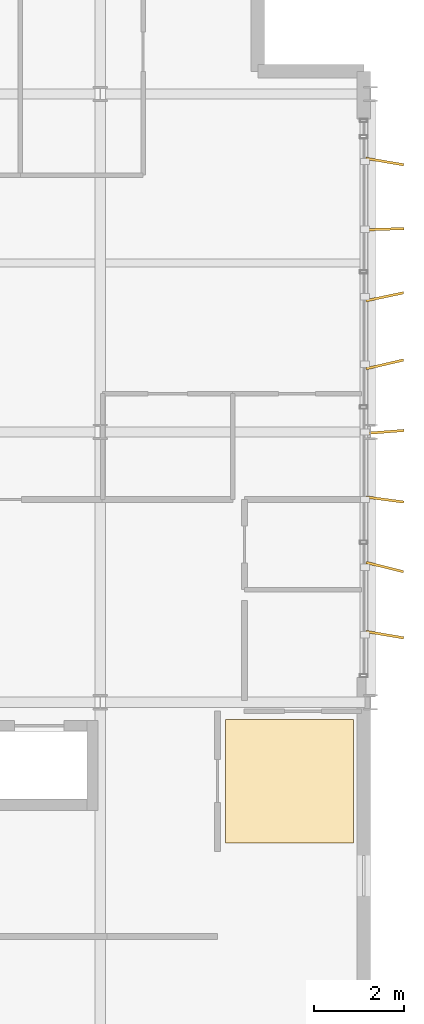
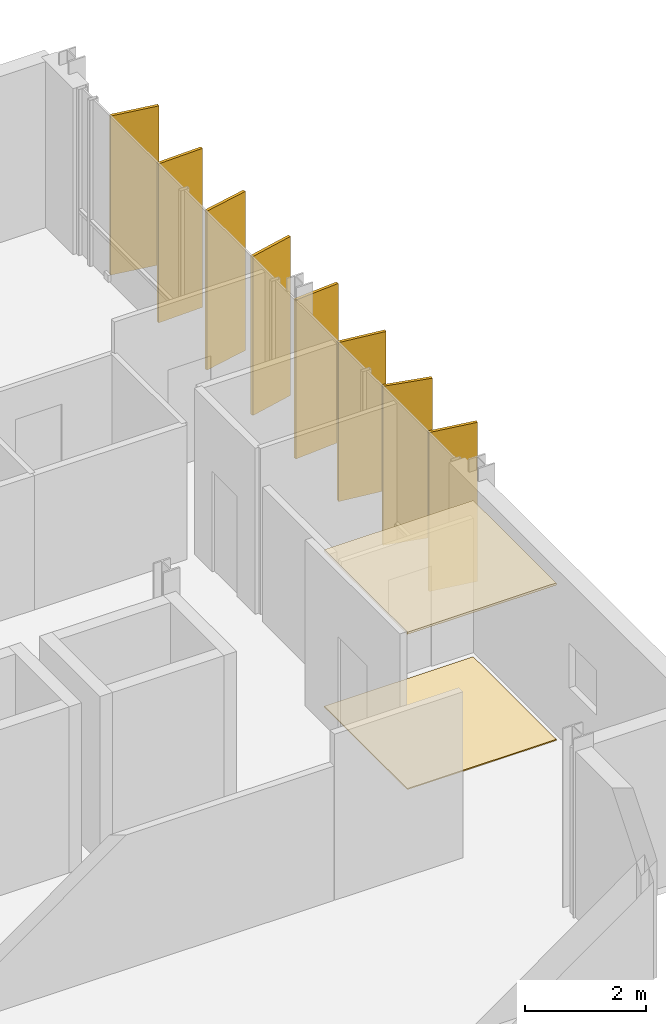
# One storey, part 18 of 18: 8 shading devices, 2 coverings.
"""IFC4 building model written with IfcOpenShell, lengths in metres."""

import ifcopenshell
import ifcopenshell.guid

model = None  # the IFC model being written
_history = None  # IfcOwnerHistory: only IFC2X3 demands one
_inside = {}  # id of a spatial element -> (the spatial element, [elements in it])
_under = {}  # id of a project, library or spatial element -> (it, [spatial elements below it])
_declared = {}  # id of a project -> (the project, [libraries it declares])
_typed = {}  # id of a type object -> (the type object, [elements of that type])
_made_of = {}  # id of a material, layer set ... -> (it, [elements and type objects made of it])


def new_model(schema):
    """Start an empty IFC model of exactly this schema.

    Asked for "IFC4X3", IfcOpenShell would pick the latest addendum, in which some entities
    have other attributes; the version numbers below select the first issue.
    IFC2X3 requires an IfcOwnerHistory on every rooted entity: one is made here for all.
    """
    global model, _history
    if schema == "IFC4X3":
        model = ifcopenshell.file(schema_version=(4, 3, 0, 0))
    else:
        model = ifcopenshell.file(schema=schema)
    _inside.clear()
    _under.clear()
    _declared.clear()
    _typed.clear()
    _made_of.clear()
    _history = None
    if model.schema == "IFC2X3":
        org = make("IfcOrganization", Name="unknown")
        user = make(
            "IfcPersonAndOrganization",
            ThePerson=make("IfcPerson", FamilyName="unknown"),
            TheOrganization=org,
        )
        app = make(
            "IfcApplication",
            ApplicationDeveloper=org,
            Version="unknown",
            ApplicationFullName="unknown",
            ApplicationIdentifier="unknown",
        )
        _history = make(
            "IfcOwnerHistory",
            OwningUser=user,
            OwningApplication=app,
            ChangeAction="ADDED",
            CreationDate=0,
        )
    return model


def make(cls, **values):
    """One entity of the class cls with the attributes given. An attribute that is None is left unset."""
    return model.create_entity(
        cls, **{name: value for name, value in values.items() if value is not None}
    )


def rooted(cls, **values):
    """An entity with a GlobalId (a new one), such as an element, a storey or a relation."""
    return make(cls, GlobalId=ifcopenshell.guid.new(), OwnerHistory=_history, **values)


def si_unit(unit_type, name, prefix=None):
    """IfcSIUnit, for example si_unit("LENGTHUNIT", "METRE", prefix="MILLI")."""
    return make("IfcSIUnit", UnitType=unit_type, Prefix=prefix, Name=name)


def assignment(units):
    """IfcUnitAssignment: the units of a project."""
    return None if units is None else make("IfcUnitAssignment", Units=units)


def point(xyz):
    """IfcCartesianPoint."""
    return None if xyz is None else make("IfcCartesianPoint", Coordinates=xyz)


def direction(xyz):
    """IfcDirection."""
    return None if xyz is None else make("IfcDirection", DirectionRatios=xyz)


def frame(location, z_axis=None, x_axis=None):
    """IfcAxis2Placement3D, a coordinate frame: its origin and axes. An axis left out is left unset."""
    return make(
        "IfcAxis2Placement3D",
        Location=point(location),
        Axis=direction(z_axis),
        RefDirection=direction(x_axis),
    )


def frame_2d(location, x_axis=None):
    """IfcAxis2Placement2D, a coordinate frame in the plane: its origin and x axis."""
    return make(
        "IfcAxis2Placement2D", Location=point(location), RefDirection=direction(x_axis)
    )


def origin():
    """The frame at (0, 0, 0) with its axes left unset."""
    return frame((0.0, 0.0, 0.0))


def origin_2d():
    """The frame at (0, 0) in the plane with its x axis left unset."""
    return frame_2d((0.0, 0.0))


def place(relative_to, where):
    """IfcLocalPlacement: puts the frame where relative to a parent placement (None: the world)."""
    return make(
        "IfcLocalPlacement", PlacementRelTo=relative_to, RelativePlacement=where
    )


def context(
    kind, dimensions, precision=None, world=None, true_north=None, identifier=None
):
    """IfcGeometricRepresentationContext, for example the 3D "Model" context."""
    return make(
        "IfcGeometricRepresentationContext",
        ContextIdentifier=identifier,
        ContextType=kind,
        CoordinateSpaceDimension=dimensions,
        Precision=precision,
        WorldCoordinateSystem=world,
        TrueNorth=true_north,
    )


def subcontext(parent, identifier, kind, view, scale=None):
    """IfcGeometricRepresentationSubContext, for example "Body" below "Model"."""
    return make(
        "IfcGeometricRepresentationSubContext",
        ContextIdentifier=identifier,
        ContextType=kind,
        ParentContext=parent,
        TargetScale=scale,
        TargetView=view,
    )


def project(units=None, contexts=None):
    """IfcProject with its units and contexts."""
    return rooted(
        "IfcProject",
        Name="project",
        RepresentationContexts=contexts,
        UnitsInContext=assignment(units),
    )


def spatial(cls, under=None, at=None, **own):
    """A site, building, storey or space (cls), placed at a placement, below another one or the project."""
    s = rooted(cls, ObjectPlacement=at, **own)
    if under is not None:
        _under.setdefault(under.id(), (under, []))[1].append(s)
    return s


def polyline(points):
    """IfcPolyline through the points."""
    return make("IfcPolyline", Points=[point(p) for p in points])


def profile(cls, at=None, kind="AREA", **sizes):
    """A parametric profile (cls). Its sizes go by their IFC names, for example OverallWidth=200.0."""
    return make(cls, ProfileType=kind, Position=at, **sizes)


def rectangle(**sizes):
    """IfcRectangleProfileDef."""
    return profile("IfcRectangleProfileDef", **sizes)


def outline(outer, holes=None, kind="AREA"):
    """IfcArbitraryClosedProfileDef: a profile drawn as a closed curve; with holes, ...WithVoids."""
    if holes is None:
        return make("IfcArbitraryClosedProfileDef", ProfileType=kind, OuterCurve=outer)
    return make(
        "IfcArbitraryProfileDefWithVoids",
        ProfileType=kind,
        OuterCurve=outer,
        InnerCurves=holes,
    )


def extrude(swept, where, along, depth):
    """IfcExtrudedAreaSolid: the profile swept, set in the frame where, extruded along a direction by depth."""
    return make(
        "IfcExtrudedAreaSolid",
        SweptArea=swept,
        Position=where,
        ExtrudedDirection=direction(along),
        Depth=depth,
    )


def shape(context_of_items, identifier, shape_type, items):
    """IfcShapeRepresentation: the items that make up one representation, for example the "Body"."""
    return make(
        "IfcShapeRepresentation",
        ContextOfItems=context_of_items,
        RepresentationIdentifier=identifier,
        RepresentationType=shape_type,
        Items=items,
    )


def material(Name=None, Category=None):
    """IfcMaterial."""
    return make("IfcMaterial", Name=Name, Category=Category)


def layer(
    of_material, thickness, ventilated=None, Name=None, Category=None, Priority=None
):
    """IfcMaterialLayer: one layer of a wall or slab, of a material (None: an air gap)."""
    return make(
        "IfcMaterialLayer",
        Material=of_material,
        LayerThickness=thickness,
        IsVentilated=ventilated,
        Name=Name,
        Category=Category,
        Priority=Priority,
    )


def layer_set(layers, Name=None):
    """IfcMaterialLayerSet."""
    return make("IfcMaterialLayerSet", MaterialLayers=layers, LayerSetName=Name)


def made_of(thing, what):
    """Note that an element or type object is made of a material, layer set ...; save() writes the relation."""
    if what is not None:
        _made_of.setdefault(what.id(), (what, []))[1].append(thing)
    return thing


def type_object(cls, material=None, **own):
    """A type object (cls), such as IfcWallType, which elements share."""
    return made_of(rooted(cls, **own), material)


def element(
    cls,
    number,
    at=None,
    inside=None,
    cuts=None,
    type_object=None,
    material=None,
    context=None,
    identifier="Body",
    shape_type=None,
    held_by="IfcProductDefinitionShape",
    body=None,
    shapes=None,
    **own,
):
    """One element of the class cls, such as IfcWall. Its Tag is "e" and its number.

    at: its placement. inside: the storey or other place that contains it. cuts: it is an
    opening in that element (IfcRelVoidsElement). A single representation is given by context,
    identifier, shape_type and body (its items); several are given by shapes. held_by: the class
    of the entity that holds the representations. save() writes the other relations.
    """
    e = rooted(cls, Tag="e%d" % number, ObjectPlacement=at, **own)
    if body is not None:
        shapes = [shape(context, identifier, shape_type, body)]
    if shapes is not None:
        e.Representation = make(held_by, Representations=shapes)
    if inside is not None:
        _inside.setdefault(inside.id(), (inside, []))[1].append(e)
    if cuts is not None:
        rooted(
            "IfcRelVoidsElement", RelatingBuildingElement=cuts, RelatedOpeningElement=e
        )
    if type_object is not None:
        _typed.setdefault(type_object.id(), (type_object, []))[1].append(e)
    return made_of(e, material)


def aggregate(whole, parts):
    """IfcRelAggregates: a whole, such as a stair, and the parts it consists of."""
    return rooted("IfcRelAggregates", RelatingObject=whole, RelatedObjects=parts)


def save(model, path):
    """Write the relations noted so far, then the file.

    IfcRelAggregates (storeys below a building ...), IfcRelContainedInSpatialStructure (elements
    in a storey), IfcRelDefinesByType, IfcRelAssociatesMaterial and IfcRelDeclares: one each for
    every whole, place, type object, material and project.
    """
    for whole, parts in _under.values():
        aggregate(whole, parts)
    for where, things in _inside.values():
        rooted(
            "IfcRelContainedInSpatialStructure",
            RelatedElements=things,
            RelatingStructure=where,
        )
    for kind, things in _typed.values():
        rooted("IfcRelDefinesByType", RelatedObjects=things, RelatingType=kind)
    for what, things in _made_of.values():
        rooted("IfcRelAssociatesMaterial", RelatedObjects=things, RelatingMaterial=what)
    for by, libraries in _declared.values():
        rooted("IfcRelDeclares", RelatingContext=by, RelatedDefinitions=libraries)
    model.write(path)


model = new_model("IFC4")

# Units and contexts
model_context = context("Model", 3, precision=1e-05, world=origin(), true_north=direction((0.0, 1.0)))
body_context = subcontext(model_context, "Body", "Model", "MODEL_VIEW")
ifc_project = project(units=[si_unit("LENGTHUNIT", "METRE"), si_unit("AREAUNIT", "SQUARE_METRE"), si_unit("VOLUMEUNIT", "CUBIC_METRE"), si_unit("PLANEANGLEUNIT", "RADIAN"), si_unit("MASSUNIT", "GRAM", prefix="KILO")], contexts=[model_context])

# Site, building, storey
site_placement = place(None, origin())
site = spatial("IfcSite", under=ifc_project, at=site_placement, CompositionType="ELEMENT")
building_placement = place(site_placement, origin())
building = spatial("IfcBuilding", under=site, at=building_placement, Name="Brevholm Reach", CompositionType="ELEMENT")
storey_placement = place(building_placement, frame((0.0, 0.0, 243.64990234375)))
storey = spatial("IfcBuildingStorey", under=building, at=storey_placement, Name="L74", CompositionType="ELEMENT", Elevation=243.64990234375)

# Coverings
ifc_material_1 = material(Name="Perforated Mineral-Fibre Class-A Acoustic Suspended Ceiling", Category="gypsum")
ifc_layer_1 = layer(ifc_material_1, 0.044921875)
ifc_layer_set_1 = layer_set([ifc_layer_1], Name="Perforated Mineral-Fibre Class-A Acoustic Suspended Ceiling")
covering_type_1 = type_object("IfcCoveringType", Name="COV-CLG-AC", PredefinedType="CEILING", material=ifc_layer_set_1)
covering_1_placement = place(storey_placement, frame((0.0, 0.0, 3.125)))
element("IfcCovering", 1, at=covering_1_placement, inside=storey, type_object=covering_type_1, Name="L74 Suspended Ceiling L74-17", PredefinedType="CEILING", context=body_context, shape_type="SweptSolid", body=[
    extrude(outline(polyline([(59.6201171875, 9.6201171875), (59.6201171875, 6.8798828125), (56.783935546875, 6.8798828125), (56.783935546875, 9.6201171875), (59.6201171875, 9.6201171875)])), origin(), (0.0, 0.0, 1.0), 0.045166015625),
])
ifc_material_2 = material(Name="Engineered European Oak Acoustic Plank Flooring", Category="timber")
ifc_layer_2 = layer(ifc_material_2, 0.02197265625)
ifc_layer_set_2 = layer_set([ifc_layer_2], Name="Engineered European Oak Acoustic Plank Flooring")
covering_type_2 = type_object("IfcCoveringType", Name="COV-FLR-OAK", PredefinedType="FLOORING", material=ifc_layer_set_2)
covering_2_placement = place(storey_placement, origin())
element("IfcCovering", 2, at=covering_2_placement, inside=storey, type_object=covering_type_2, Name="L74 Floor Finish L74-17", PredefinedType="FLOORING", context=body_context, shape_type="SweptSolid", body=[
    extrude(outline(polyline([(59.6201171875, 9.6201171875), (59.6201171875, 6.8798828125), (56.783935546875, 6.8798828125), (56.783935546875, 9.6201171875), (59.6201171875, 9.6201171875)])), origin(), (0.0, 0.0, 1.0), 0.022216796875),
])

# Shading devices
ifc_material_3 = material(Name="Perforated Champagne-Bronze Anodised Aluminium", Category="aluminium")
ifc_layer_3 = layer(ifc_material_3, 0.054931640625)
ifc_layer_set_3 = layer_set([ifc_layer_3], Name="Perforated Champagne-Bronze Anodised Aluminium")
shading_device_type = type_object("IfcShadingDeviceType", Name="SHD-FIN-850", PredefinedType="USERDEFINED", material=ifc_layer_set_3)
for number, where, z_axis, x_axis, name in (
    (3, (60.31494140625, 11.5, 0.0703125), (0.0, 0.0, 1.0), (0.985650487948, -0.168799039123, 0.0), "L74 Perforated Solar Screen Fin 1"),
    (4, (60.31494140625, 13.0, 0.0703125), (0.0, 0.0, 1.0), (0.970556942825, -0.240871793147, 0.0), "L74 Perforated Solar Screen Fin 2"),
    (5, (60.31494140625, 14.5, 0.0703125), (0.0, 0.0, 1.0), (0.991071844761, -0.133328911051, 0.0), "L74 Perforated Solar Screen Fin 3"),
    (6, (60.31494140625, 16.0, 0.0703125), (0.0, 0.0, 1.0), (0.997075471333, 0.076423193247, 0.0), "L74 Perforated Solar Screen Fin 4"),
    (7, (60.31494140625, 17.5, 0.0703125), (0.0, 0.0, 1.0), (0.973865088257, 0.227127254802, 0.0), "L74 Perforated Solar Screen Fin 5"),
    (8, (60.31494140625, 19.0, 0.0703125), (0.0, 0.0, 1.0), (0.978194749222, 0.207689750817, 0.0), "L74 Perforated Solar Screen Fin 6"),
    (9, (60.31494140625, 20.5, 0.0703125), (0.0, 0.0, 1.0), (0.999495535049, 0.031759650765, 0.0), "L74 Perforated Solar Screen Fin 7"),
    (10, (60.31494140625, 22.0, 0.0703125), (0.0, 0.0, 1.0), (0.985650487948, -0.168799039123, 0.0), "L74 Perforated Solar Screen Fin 8"),
):
    element("IfcShadingDevice", number, at=place(storey_placement, frame(where, z_axis=z_axis, x_axis=x_axis)), inside=storey, type_object=shading_device_type, Name=name, ObjectType="SCREEN", PredefinedType="USERDEFINED", context=body_context, shape_type="SweptSolid", body=[
        extrude(rectangle(XDim=0.85009765625, YDim=0.054931640625, at=origin_2d()), origin(), (0.0, 0.0, 1.0), 3.199951171875),
    ])

save(model, "model.ifc")
